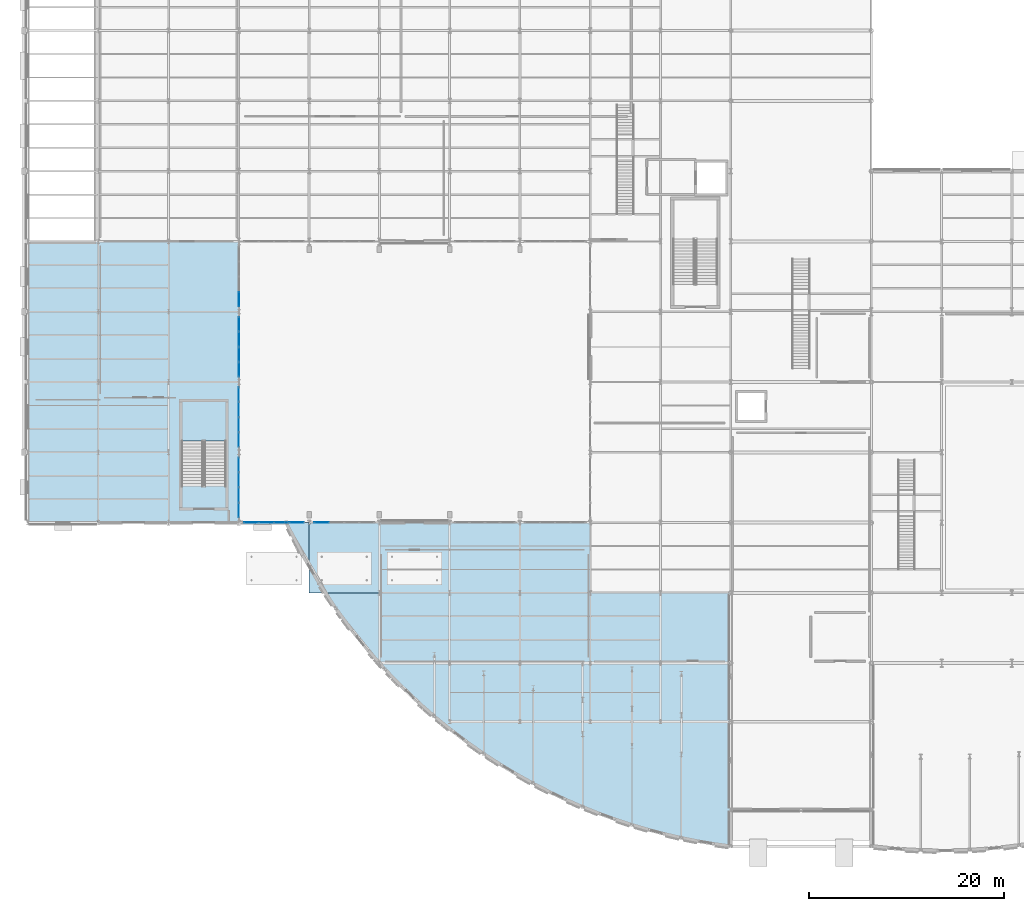
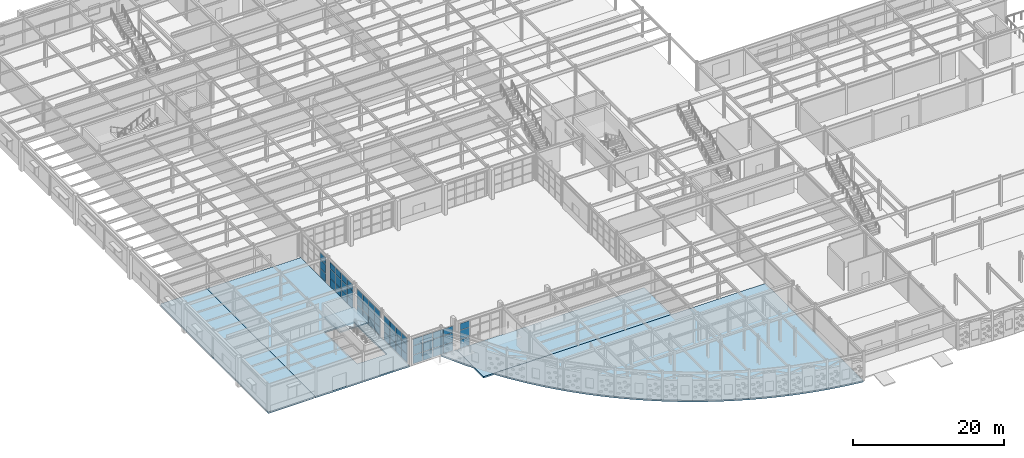
# One storey, part 49 of 83: 54 plates, 6 slabs, 7 elements without a shape of their own.
"""IFC4 building model written with IfcOpenShell, lengths in metres."""

import ifcopenshell
import ifcopenshell.guid

model = None  # the IFC model being written
_history = None  # IfcOwnerHistory: only IFC2X3 demands one
_inside = {}  # id of a spatial element -> (the spatial element, [elements in it])
_under = {}  # id of a project, library or spatial element -> (it, [spatial elements below it])
_declared = {}  # id of a project -> (the project, [libraries it declares])
_typed = {}  # id of a type object -> (the type object, [elements of that type])
_made_of = {}  # id of a material, layer set ... -> (it, [elements and type objects made of it])


def new_model(schema):
    """Start an empty IFC model of exactly this schema.

    Asked for "IFC4X3", IfcOpenShell would pick the latest addendum, in which some entities
    have other attributes; the version numbers below select the first issue.
    IFC2X3 requires an IfcOwnerHistory on every rooted entity: one is made here for all.
    """
    global model, _history
    if schema == "IFC4X3":
        model = ifcopenshell.file(schema_version=(4, 3, 0, 0))
    else:
        model = ifcopenshell.file(schema=schema)
    _inside.clear()
    _under.clear()
    _declared.clear()
    _typed.clear()
    _made_of.clear()
    _history = None
    if model.schema == "IFC2X3":
        org = make("IfcOrganization", Name="unknown")
        user = make(
            "IfcPersonAndOrganization",
            ThePerson=make("IfcPerson", FamilyName="unknown"),
            TheOrganization=org,
        )
        app = make(
            "IfcApplication",
            ApplicationDeveloper=org,
            Version="unknown",
            ApplicationFullName="unknown",
            ApplicationIdentifier="unknown",
        )
        _history = make(
            "IfcOwnerHistory",
            OwningUser=user,
            OwningApplication=app,
            ChangeAction="ADDED",
            CreationDate=0,
        )
    return model


def make(cls, **values):
    """One entity of the class cls with the attributes given. An attribute that is None is left unset."""
    return model.create_entity(
        cls, **{name: value for name, value in values.items() if value is not None}
    )


def rooted(cls, **values):
    """An entity with a GlobalId (a new one), such as an element, a storey or a relation."""
    return make(cls, GlobalId=ifcopenshell.guid.new(), OwnerHistory=_history, **values)


def si_unit(unit_type, name, prefix=None):
    """IfcSIUnit, for example si_unit("LENGTHUNIT", "METRE", prefix="MILLI")."""
    return make("IfcSIUnit", UnitType=unit_type, Prefix=prefix, Name=name)


def assignment(units):
    """IfcUnitAssignment: the units of a project."""
    return None if units is None else make("IfcUnitAssignment", Units=units)


def point(xyz):
    """IfcCartesianPoint."""
    return None if xyz is None else make("IfcCartesianPoint", Coordinates=xyz)


def direction(xyz):
    """IfcDirection."""
    return None if xyz is None else make("IfcDirection", DirectionRatios=xyz)


def frame(location, z_axis=None, x_axis=None):
    """IfcAxis2Placement3D, a coordinate frame: its origin and axes. An axis left out is left unset."""
    return make(
        "IfcAxis2Placement3D",
        Location=point(location),
        Axis=direction(z_axis),
        RefDirection=direction(x_axis),
    )


def frame_2d(location, x_axis=None):
    """IfcAxis2Placement2D, a coordinate frame in the plane: its origin and x axis."""
    return make(
        "IfcAxis2Placement2D", Location=point(location), RefDirection=direction(x_axis)
    )


def origin():
    """The frame at (0, 0, 0) with its axes left unset."""
    return frame((0.0, 0.0, 0.0))


def origin_2d():
    """The frame at (0, 0) in the plane with its x axis left unset."""
    return frame_2d((0.0, 0.0))


def place(relative_to, where):
    """IfcLocalPlacement: puts the frame where relative to a parent placement (None: the world)."""
    return make(
        "IfcLocalPlacement", PlacementRelTo=relative_to, RelativePlacement=where
    )


def context(
    kind, dimensions, precision=None, world=None, true_north=None, identifier=None
):
    """IfcGeometricRepresentationContext, for example the 3D "Model" context."""
    return make(
        "IfcGeometricRepresentationContext",
        ContextIdentifier=identifier,
        ContextType=kind,
        CoordinateSpaceDimension=dimensions,
        Precision=precision,
        WorldCoordinateSystem=world,
        TrueNorth=true_north,
    )


def subcontext(parent, identifier, kind, view, scale=None):
    """IfcGeometricRepresentationSubContext, for example "Body" below "Model"."""
    return make(
        "IfcGeometricRepresentationSubContext",
        ContextIdentifier=identifier,
        ContextType=kind,
        ParentContext=parent,
        TargetScale=scale,
        TargetView=view,
    )


def project(units=None, contexts=None):
    """IfcProject with its units and contexts."""
    return rooted(
        "IfcProject",
        Name="project",
        RepresentationContexts=contexts,
        UnitsInContext=assignment(units),
    )


def spatial(cls, under=None, at=None, **own):
    """A site, building, storey or space (cls), placed at a placement, below another one or the project."""
    s = rooted(cls, ObjectPlacement=at, **own)
    if under is not None:
        _under.setdefault(under.id(), (under, []))[1].append(s)
    return s


def polyline(points):
    """IfcPolyline through the points."""
    return make("IfcPolyline", Points=[point(p) for p in points])


def profile(cls, at=None, kind="AREA", **sizes):
    """A parametric profile (cls). Its sizes go by their IFC names, for example OverallWidth=200.0."""
    return make(cls, ProfileType=kind, Position=at, **sizes)


def rectangle(**sizes):
    """IfcRectangleProfileDef."""
    return profile("IfcRectangleProfileDef", **sizes)


def outline(outer, holes=None, kind="AREA"):
    """IfcArbitraryClosedProfileDef: a profile drawn as a closed curve; with holes, ...WithVoids."""
    if holes is None:
        return make("IfcArbitraryClosedProfileDef", ProfileType=kind, OuterCurve=outer)
    return make(
        "IfcArbitraryProfileDefWithVoids",
        ProfileType=kind,
        OuterCurve=outer,
        InnerCurves=holes,
    )


def extrude(swept, where, along, depth):
    """IfcExtrudedAreaSolid: the profile swept, set in the frame where, extruded along a direction by depth."""
    return make(
        "IfcExtrudedAreaSolid",
        SweptArea=swept,
        Position=where,
        ExtrudedDirection=direction(along),
        Depth=depth,
    )


def shape(context_of_items, identifier, shape_type, items):
    """IfcShapeRepresentation: the items that make up one representation, for example the "Body"."""
    return make(
        "IfcShapeRepresentation",
        ContextOfItems=context_of_items,
        RepresentationIdentifier=identifier,
        RepresentationType=shape_type,
        Items=items,
    )


def material(Name=None, Category=None):
    """IfcMaterial."""
    return make("IfcMaterial", Name=Name, Category=Category)


def layer(
    of_material, thickness, ventilated=None, Name=None, Category=None, Priority=None
):
    """IfcMaterialLayer: one layer of a wall or slab, of a material (None: an air gap)."""
    return make(
        "IfcMaterialLayer",
        Material=of_material,
        LayerThickness=thickness,
        IsVentilated=ventilated,
        Name=Name,
        Category=Category,
        Priority=Priority,
    )


def layer_set(layers, Name=None):
    """IfcMaterialLayerSet."""
    return make("IfcMaterialLayerSet", MaterialLayers=layers, LayerSetName=Name)


def made_of(thing, what):
    """Note that an element or type object is made of a material, layer set ...; save() writes the relation."""
    if what is not None:
        _made_of.setdefault(what.id(), (what, []))[1].append(thing)
    return thing


def type_object(cls, material=None, **own):
    """A type object (cls), such as IfcWallType, which elements share."""
    return made_of(rooted(cls, **own), material)


def element(
    cls,
    number,
    at=None,
    inside=None,
    cuts=None,
    type_object=None,
    material=None,
    context=None,
    identifier="Body",
    shape_type=None,
    held_by="IfcProductDefinitionShape",
    body=None,
    shapes=None,
    **own,
):
    """One element of the class cls, such as IfcWall. Its Tag is "e" and its number.

    at: its placement. inside: the storey or other place that contains it. cuts: it is an
    opening in that element (IfcRelVoidsElement). A single representation is given by context,
    identifier, shape_type and body (its items); several are given by shapes. held_by: the class
    of the entity that holds the representations. save() writes the other relations.
    """
    e = rooted(cls, Tag="e%d" % number, ObjectPlacement=at, **own)
    if body is not None:
        shapes = [shape(context, identifier, shape_type, body)]
    if shapes is not None:
        e.Representation = make(held_by, Representations=shapes)
    if inside is not None:
        _inside.setdefault(inside.id(), (inside, []))[1].append(e)
    if cuts is not None:
        rooted(
            "IfcRelVoidsElement", RelatingBuildingElement=cuts, RelatedOpeningElement=e
        )
    if type_object is not None:
        _typed.setdefault(type_object.id(), (type_object, []))[1].append(e)
    return made_of(e, material)


def aggregate(whole, parts):
    """IfcRelAggregates: a whole, such as a stair, and the parts it consists of."""
    return rooted("IfcRelAggregates", RelatingObject=whole, RelatedObjects=parts)


def save(model, path):
    """Write the relations noted so far, then the file.

    IfcRelAggregates (storeys below a building ...), IfcRelContainedInSpatialStructure (elements
    in a storey), IfcRelDefinesByType, IfcRelAssociatesMaterial and IfcRelDeclares: one each for
    every whole, place, type object, material and project.
    """
    for whole, parts in _under.values():
        aggregate(whole, parts)
    for where, things in _inside.values():
        rooted(
            "IfcRelContainedInSpatialStructure",
            RelatedElements=things,
            RelatingStructure=where,
        )
    for kind, things in _typed.values():
        rooted("IfcRelDefinesByType", RelatedObjects=things, RelatingType=kind)
    for what, things in _made_of.values():
        rooted("IfcRelAssociatesMaterial", RelatedObjects=things, RelatingMaterial=what)
    for by, libraries in _declared.values():
        rooted("IfcRelDeclares", RelatingContext=by, RelatedDefinitions=libraries)
    model.write(path)


model = new_model("IFC4")

# Units and contexts
model_context = context("Model", 3, precision=1e-05, world=origin(), true_north=direction((0.0, 1.0)))
body_context = subcontext(model_context, "Body", "Model", "MODEL_VIEW")
ifc_project = project(units=[si_unit("LENGTHUNIT", "METRE"), si_unit("AREAUNIT", "SQUARE_METRE"), si_unit("VOLUMEUNIT", "CUBIC_METRE"), si_unit("PLANEANGLEUNIT", "RADIAN"), si_unit("MASSUNIT", "GRAM", prefix="KILO")], contexts=[model_context])

# Site, building, storey
site_placement = place(None, origin())
site = spatial("IfcSite", under=ifc_project, at=site_placement, CompositionType="ELEMENT")
building_placement = place(site_placement, origin())
building = spatial("IfcBuilding", under=site, at=building_placement, Name="Solvadek Multi-Sports Hall", CompositionType="ELEMENT")
storey_placement = place(building_placement, origin())
storey = spatial("IfcBuildingStorey", under=building, at=storey_placement, Name="L00", CompositionType="ELEMENT", Elevation=0.0)

# Curtain wall, plates
ifc_material_1 = material(Name="Anodised aluminium", Category="aluminium")
ifc_layer_1 = layer(ifc_material_1, 0.159912109375, Name="Anodised aluminium")
ifc_layer_set_1 = layer_set([ifc_layer_1], Name="Anodised aluminium")
curtain_wall_type_1 = type_object("IfcCurtainWallType", Name="ENV-CW-624X412", PredefinedType="USERDEFINED", material=ifc_layer_set_1)
curtain_wall_1_placement = place(storey_placement, origin())
curtain_wall_1 = element("IfcCurtainWall", 1, at=curtain_wall_1_placement, inside=storey, type_object=curtain_wall_type_1, Name="L00 Perimeter Bay Curtain Wall #152", ObjectType="CURTAIN WALL", PredefinedType="USERDEFINED")
ifc_material_2 = material(Name="Tempered laminated low-E glass", Category="glass")
ifc_layer_2 = layer(ifc_material_2, 0.028076171875, Name="Tempered laminated low-E glass")
ifc_layer_set_2 = layer_set([ifc_layer_2], Name="Tempered laminated low-E glass")
plate_type_1 = type_object("IfcPlateType", Name="ENV-CWP-02", PredefinedType="CURTAIN_PANEL", material=ifc_layer_set_2)
plate_1_placement = place(storey_placement, frame((22.875, 20.39990234375, 0.06005859375), z_axis=(0.0, 0.0, 1.0), x_axis=(1.0, 0.0, 0.0)))
plate_1 = element("IfcPlate", 2, at=plate_1_placement, type_object=plate_type_1, Name="CW-38 panel 1.1", PredefinedType="CURTAIN_PANEL", context=body_context, shape_type="SweptSolid", body=[
    extrude(rectangle(XDim=1.469970703125, YDim=0.028076171875, at=origin_2d()), origin(), (0.0, 0.0, 1.0), 1.35400390625),
])
plate_2_placement = place(storey_placement, frame((22.875, 20.39990234375, 1.47412109375), z_axis=(0.0, 0.0, 1.0), x_axis=(1.0, 0.0, 0.0)))
plate_2 = element("IfcPlate", 3, at=plate_2_placement, type_object=plate_type_1, Name="CW-38 panel 1.2", PredefinedType="CURTAIN_PANEL", context=body_context, shape_type="SweptSolid", body=[
    extrude(rectangle(XDim=1.469970703125, YDim=0.028076171875, at=origin_2d()), origin(), (0.0, 0.0, 1.0), 1.466064453125),
])
plate_3_placement = place(storey_placement, frame((22.875, 20.39990234375, 3.0), z_axis=(0.0, 0.0, 1.0), x_axis=(1.0, 0.0, 0.0)))
plate_3 = element("IfcPlate", 4, at=plate_3_placement, type_object=plate_type_1, Name="CW-38 panel 1.3", PredefinedType="CURTAIN_PANEL", context=body_context, shape_type="SweptSolid", body=[
    extrude(rectangle(XDim=1.469970703125, YDim=0.028076171875, at=origin_2d()), origin(), (0.0, 0.0, 1.0), 1.06494140625),
])
plate_4_placement = place(storey_placement, frame((24.419921875, 20.39990234375, 0.06005859375), z_axis=(0.0, 0.0, 1.0), x_axis=(1.0, 0.0, 0.0)))
plate_4 = element("IfcPlate", 5, at=plate_4_placement, type_object=plate_type_1, Name="CW-38 panel 2.1", PredefinedType="CURTAIN_PANEL", context=body_context, shape_type="SweptSolid", body=[
    extrude(rectangle(XDim=1.5, YDim=0.028076171875, at=origin_2d()), origin(), (0.0, 0.0, 1.0), 1.35400390625),
])
plate_5_placement = place(storey_placement, frame((24.419921875, 20.39990234375, 1.47412109375), z_axis=(0.0, 0.0, 1.0), x_axis=(1.0, 0.0, 0.0)))
plate_5 = element("IfcPlate", 6, at=plate_5_placement, type_object=plate_type_1, Name="CW-38 panel 2.2", PredefinedType="CURTAIN_PANEL", context=body_context, shape_type="SweptSolid", body=[
    extrude(rectangle(XDim=1.5, YDim=0.028076171875, at=origin_2d()), origin(), (0.0, 0.0, 1.0), 1.466064453125),
])
plate_6_placement = place(storey_placement, frame((24.419921875, 20.39990234375, 3.0), z_axis=(0.0, 0.0, 1.0), x_axis=(1.0, 0.0, 0.0)))
plate_6 = element("IfcPlate", 7, at=plate_6_placement, type_object=plate_type_1, Name="CW-38 panel 2.3", PredefinedType="CURTAIN_PANEL", context=body_context, shape_type="SweptSolid", body=[
    extrude(rectangle(XDim=1.5, YDim=0.028076171875, at=origin_2d()), origin(), (0.0, 0.0, 1.0), 1.06494140625),
])
plate_7_placement = place(storey_placement, frame((25.97998046875, 20.39990234375, 0.06005859375), z_axis=(0.0, 0.0, 1.0), x_axis=(1.0, 0.0, 0.0)))
plate_7 = element("IfcPlate", 8, at=plate_7_placement, type_object=plate_type_1, Name="CW-38 panel 3.1", PredefinedType="CURTAIN_PANEL", context=body_context, shape_type="SweptSolid", body=[
    extrude(rectangle(XDim=1.5, YDim=0.028076171875, at=origin_2d()), origin(), (0.0, 0.0, 1.0), 1.35400390625),
])
plate_8_placement = place(storey_placement, frame((25.97998046875, 20.39990234375, 1.47412109375), z_axis=(0.0, 0.0, 1.0), x_axis=(1.0, 0.0, 0.0)))
plate_8 = element("IfcPlate", 9, at=plate_8_placement, type_object=plate_type_1, Name="CW-38 panel 3.2", PredefinedType="CURTAIN_PANEL", context=body_context, shape_type="SweptSolid", body=[
    extrude(rectangle(XDim=1.5, YDim=0.028076171875, at=origin_2d()), origin(), (0.0, 0.0, 1.0), 1.466064453125),
])
plate_9_placement = place(storey_placement, frame((25.97998046875, 20.39990234375, 3.0), z_axis=(0.0, 0.0, 1.0), x_axis=(1.0, 0.0, 0.0)))
plate_9 = element("IfcPlate", 10, at=plate_9_placement, type_object=plate_type_1, Name="CW-38 panel 3.3", PredefinedType="CURTAIN_PANEL", context=body_context, shape_type="SweptSolid", body=[
    extrude(rectangle(XDim=1.5, YDim=0.028076171875, at=origin_2d()), origin(), (0.0, 0.0, 1.0), 1.06494140625),
])
plate_10_placement = place(storey_placement, frame((27.52490234375, 20.39990234375, 0.06005859375), z_axis=(0.0, 0.0, 1.0), x_axis=(1.0, 0.0, 0.0)))
plate_10 = element("IfcPlate", 11, at=plate_10_placement, type_object=plate_type_1, Name="CW-38 panel 4.1", PredefinedType="CURTAIN_PANEL", context=body_context, shape_type="SweptSolid", body=[
    extrude(rectangle(XDim=1.469970703125, YDim=0.028076171875, at=origin_2d()), origin(), (0.0, 0.0, 1.0), 1.35400390625),
])
plate_11_placement = place(storey_placement, frame((27.52490234375, 20.39990234375, 1.47412109375), z_axis=(0.0, 0.0, 1.0), x_axis=(1.0, 0.0, 0.0)))
plate_11 = element("IfcPlate", 12, at=plate_11_placement, type_object=plate_type_1, Name="CW-38 panel 4.2", PredefinedType="CURTAIN_PANEL", context=body_context, shape_type="SweptSolid", body=[
    extrude(rectangle(XDim=1.469970703125, YDim=0.028076171875, at=origin_2d()), origin(), (0.0, 0.0, 1.0), 1.466064453125),
])
plate_12_placement = place(storey_placement, frame((27.52490234375, 20.39990234375, 3.0), z_axis=(0.0, 0.0, 1.0), x_axis=(1.0, 0.0, 0.0)))
plate_12 = element("IfcPlate", 13, at=plate_12_placement, type_object=plate_type_1, Name="CW-38 panel 4.3", PredefinedType="CURTAIN_PANEL", context=body_context, shape_type="SweptSolid", body=[
    extrude(rectangle(XDim=1.469970703125, YDim=0.028076171875, at=origin_2d()), origin(), (0.0, 0.0, 1.0), 1.06494140625),
])
aggregate(curtain_wall_1, [plate_1, plate_2, plate_3, plate_4, plate_5, plate_6, plate_7, plate_8, plate_9, plate_10, plate_11, plate_12])

ifc_layer_3 = layer(ifc_material_1, 0.159912109375, Name="Anodised aluminium")
ifc_layer_set_3 = layer_set([ifc_layer_3], Name="Anodised aluminium")
curtain_wall_type_2 = type_object("IfcCurtainWallType", Name="ENV-CW-624X410", PredefinedType="USERDEFINED", material=ifc_layer_set_3)
curtain_wall_2_placement = place(storey_placement, origin())
curtain_wall_2 = element("IfcCurtainWall", 14, at=curtain_wall_2_placement, inside=storey, type_object=curtain_wall_type_2, Name="L00 Perimeter Bay Curtain Wall #158", ObjectType="CURTAIN WALL", PredefinedType="USERDEFINED")
ifc_layer_4 = layer(ifc_material_2, 0.031982421875, Name="Tempered laminated low-E glass")
ifc_layer_set_4 = layer_set([ifc_layer_4], Name="Tempered laminated low-E glass")
plate_type_2 = type_object("IfcPlateType", Name="ENV-CWP-03", PredefinedType="CURTAIN_PANEL", material=ifc_layer_set_4)
plate_13_placement = place(storey_placement, frame((30.076171875, 20.39990234375, 0.06494140625), z_axis=(0.0, 0.0, 1.0), x_axis=(1.0, 0.0, 0.0)))
plate_13 = element("IfcPlate", 15, at=plate_13_placement, type_object=plate_type_2, Name="CW-39 panel 1.1", PredefinedType="CURTAIN_PANEL", context=body_context, shape_type="SweptSolid", body=[
    extrude(rectangle(XDim=1.46240234375, YDim=0.031982421875, at=origin_2d()), origin(), (0.0, 0.0, 1.0), 1.33740234375),
])
plate_14_placement = place(storey_placement, frame((30.076171875, 20.39990234375, 1.4677734375), z_axis=(0.0, 0.0, 1.0), x_axis=(1.0, 0.0, 0.0)))
plate_14 = element("IfcPlate", 16, at=plate_14_placement, type_object=plate_type_2, Name="CW-39 panel 1.2", PredefinedType="CURTAIN_PANEL", context=body_context, shape_type="SweptSolid", body=[
    extrude(rectangle(XDim=1.46240234375, YDim=0.031982421875, at=origin_2d()), origin(), (0.0, 0.0, 1.0), 1.451904296875),
])
plate_15_placement = place(storey_placement, frame((30.076171875, 20.39990234375, 2.984375), z_axis=(0.0, 0.0, 1.0), x_axis=(1.0, 0.0, 0.0)))
plate_15 = element("IfcPlate", 17, at=plate_15_placement, type_object=plate_type_2, Name="CW-39 panel 1.3", PredefinedType="CURTAIN_PANEL", context=body_context, shape_type="SweptSolid", body=[
    extrude(rectangle(XDim=1.46240234375, YDim=0.031982421875, at=origin_2d()), origin(), (0.0, 0.0, 1.0), 1.050537109375),
])
aggregate(curtain_wall_2, [plate_13, plate_14, plate_15])

curtain_wall_3_placement = place(storey_placement, origin())
curtain_wall_3 = element("IfcCurtainWall", 18, at=curtain_wall_3_placement, inside=storey, type_object=curtain_wall_type_2, Name="L00 Perimeter Bay Curtain Wall #180", ObjectType="CURTAIN WALL", PredefinedType="USERDEFINED")
plate_16_placement = place(storey_placement, frame((21.60009765625, 21.67626953125, 0.06494140625), z_axis=(0.0, 0.0, 1.0), x_axis=(0.0, 1.0, 0.0)))
plate_16 = element("IfcPlate", 19, at=plate_16_placement, type_object=plate_type_2, Name="CW-39 panel 1.1", PredefinedType="CURTAIN_PANEL", context=body_context, shape_type="SweptSolid", body=[
    extrude(rectangle(XDim=1.46240234375, YDim=0.031982421875, at=origin_2d()), origin(), (0.0, 0.0, 1.0), 1.33740234375),
])
plate_17_placement = place(storey_placement, frame((21.60009765625, 21.67626953125, 1.4677734375), z_axis=(0.0, 0.0, 1.0), x_axis=(0.0, 1.0, 0.0)))
plate_17 = element("IfcPlate", 20, at=plate_17_placement, type_object=plate_type_2, Name="CW-39 panel 1.2", PredefinedType="CURTAIN_PANEL", context=body_context, shape_type="SweptSolid", body=[
    extrude(rectangle(XDim=1.46240234375, YDim=0.031982421875, at=origin_2d()), origin(), (0.0, 0.0, 1.0), 1.451904296875),
])
plate_18_placement = place(storey_placement, frame((21.60009765625, 21.67626953125, 2.984375), z_axis=(0.0, 0.0, 1.0), x_axis=(0.0, 1.0, 0.0)))
plate_18 = element("IfcPlate", 21, at=plate_18_placement, type_object=plate_type_2, Name="CW-39 panel 1.3", PredefinedType="CURTAIN_PANEL", context=body_context, shape_type="SweptSolid", body=[
    extrude(rectangle(XDim=1.46240234375, YDim=0.031982421875, at=origin_2d()), origin(), (0.0, 0.0, 1.0), 1.050537109375),
])
plate_19_placement = place(storey_placement, frame((21.60009765625, 23.219970703125, 0.06494140625), z_axis=(0.0, 0.0, 1.0), x_axis=(0.0, 1.0, 0.0)))
plate_19 = element("IfcPlate", 22, at=plate_19_placement, type_object=plate_type_2, Name="CW-39 panel 2.1", PredefinedType="CURTAIN_PANEL", context=body_context, shape_type="SweptSolid", body=[
    extrude(rectangle(XDim=1.4951171875, YDim=0.031982421875, at=origin_2d()), origin(), (0.0, 0.0, 1.0), 1.33740234375),
])
plate_20_placement = place(storey_placement, frame((21.60009765625, 23.219970703125, 1.4677734375), z_axis=(0.0, 0.0, 1.0), x_axis=(0.0, 1.0, 0.0)))
plate_20 = element("IfcPlate", 23, at=plate_20_placement, type_object=plate_type_2, Name="CW-39 panel 2.2", PredefinedType="CURTAIN_PANEL", context=body_context, shape_type="SweptSolid", body=[
    extrude(rectangle(XDim=1.4951171875, YDim=0.031982421875, at=origin_2d()), origin(), (0.0, 0.0, 1.0), 1.451904296875),
])
plate_21_placement = place(storey_placement, frame((21.60009765625, 23.219970703125, 2.984375), z_axis=(0.0, 0.0, 1.0), x_axis=(0.0, 1.0, 0.0)))
plate_21 = element("IfcPlate", 24, at=plate_21_placement, type_object=plate_type_2, Name="CW-39 panel 2.3", PredefinedType="CURTAIN_PANEL", context=body_context, shape_type="SweptSolid", body=[
    extrude(rectangle(XDim=1.4951171875, YDim=0.031982421875, at=origin_2d()), origin(), (0.0, 0.0, 1.0), 1.050537109375),
])
plate_22_placement = place(storey_placement, frame((21.60009765625, 24.780029296875, 0.06494140625), z_axis=(0.0, 0.0, 1.0), x_axis=(0.0, 1.0, 0.0)))
plate_22 = element("IfcPlate", 25, at=plate_22_placement, type_object=plate_type_2, Name="CW-39 panel 3.1", PredefinedType="CURTAIN_PANEL", context=body_context, shape_type="SweptSolid", body=[
    extrude(rectangle(XDim=1.4951171875, YDim=0.031982421875, at=origin_2d()), origin(), (0.0, 0.0, 1.0), 1.33740234375),
])
plate_23_placement = place(storey_placement, frame((21.60009765625, 24.780029296875, 1.4677734375), z_axis=(0.0, 0.0, 1.0), x_axis=(0.0, 1.0, 0.0)))
plate_23 = element("IfcPlate", 26, at=plate_23_placement, type_object=plate_type_2, Name="CW-39 panel 3.2", PredefinedType="CURTAIN_PANEL", context=body_context, shape_type="SweptSolid", body=[
    extrude(rectangle(XDim=1.4951171875, YDim=0.031982421875, at=origin_2d()), origin(), (0.0, 0.0, 1.0), 1.451904296875),
])
plate_24_placement = place(storey_placement, frame((21.60009765625, 24.780029296875, 2.984375), z_axis=(0.0, 0.0, 1.0), x_axis=(0.0, 1.0, 0.0)))
plate_24 = element("IfcPlate", 27, at=plate_24_placement, type_object=plate_type_2, Name="CW-39 panel 3.3", PredefinedType="CURTAIN_PANEL", context=body_context, shape_type="SweptSolid", body=[
    extrude(rectangle(XDim=1.4951171875, YDim=0.031982421875, at=origin_2d()), origin(), (0.0, 0.0, 1.0), 1.050537109375),
])
plate_25_placement = place(storey_placement, frame((21.60009765625, 26.32373046875, 0.06494140625), z_axis=(0.0, 0.0, 1.0), x_axis=(0.0, 1.0, 0.0)))
plate_25 = element("IfcPlate", 28, at=plate_25_placement, type_object=plate_type_2, Name="CW-39 panel 4.1", PredefinedType="CURTAIN_PANEL", context=body_context, shape_type="SweptSolid", body=[
    extrude(rectangle(XDim=1.46240234375, YDim=0.031982421875, at=origin_2d()), origin(), (0.0, 0.0, 1.0), 1.33740234375),
])
plate_26_placement = place(storey_placement, frame((21.60009765625, 26.32373046875, 1.4677734375), z_axis=(0.0, 0.0, 1.0), x_axis=(0.0, 1.0, 0.0)))
plate_26 = element("IfcPlate", 29, at=plate_26_placement, type_object=plate_type_2, Name="CW-39 panel 4.2", PredefinedType="CURTAIN_PANEL", context=body_context, shape_type="SweptSolid", body=[
    extrude(rectangle(XDim=1.46240234375, YDim=0.031982421875, at=origin_2d()), origin(), (0.0, 0.0, 1.0), 1.451904296875),
])
plate_27_placement = place(storey_placement, frame((21.60009765625, 26.32373046875, 2.984375), z_axis=(0.0, 0.0, 1.0), x_axis=(0.0, 1.0, 0.0)))
plate_27 = element("IfcPlate", 30, at=plate_27_placement, type_object=plate_type_2, Name="CW-39 panel 4.3", PredefinedType="CURTAIN_PANEL", context=body_context, shape_type="SweptSolid", body=[
    extrude(rectangle(XDim=1.46240234375, YDim=0.031982421875, at=origin_2d()), origin(), (0.0, 0.0, 1.0), 1.050537109375),
])
aggregate(curtain_wall_3, [plate_16, plate_17, plate_18, plate_19, plate_20, plate_21, plate_22, plate_23, plate_24, plate_25, plate_26, plate_27])

ifc_layer_5 = layer(ifc_material_1, 0.159912109375, Name="Anodised aluminium")
ifc_layer_set_5 = layer_set([ifc_layer_5], Name="Anodised aluminium")
curtain_wall_type_3 = type_object("IfcCurtainWallType", Name="ENV-CW-624X408", PredefinedType="USERDEFINED", material=ifc_layer_set_5)
curtain_wall_4_placement = place(storey_placement, origin())
curtain_wall_4 = element("IfcCurtainWall", 31, at=curtain_wall_4_placement, inside=storey, type_object=curtain_wall_type_3, Name="L00 Perimeter Bay Curtain Wall #186", ObjectType="CURTAIN WALL", PredefinedType="USERDEFINED")
ifc_layer_6 = layer(ifc_material_2, 0.035888671875, Name="Tempered laminated low-E glass")
ifc_layer_set_6 = layer_set([ifc_layer_6], Name="Tempered laminated low-E glass")
plate_type_3 = type_object("IfcPlateType", Name="ENV-CWP-04", PredefinedType="CURTAIN_PANEL", material=ifc_layer_set_6)
plate_28_placement = place(storey_placement, frame((21.60009765625, 28.876220703125, 0.06494140625), z_axis=(0.0, 0.0, 1.0), x_axis=(0.0, 1.0, 0.0)))
plate_28 = element("IfcPlate", 32, at=plate_28_placement, type_object=plate_type_3, Name="CW-40 panel 1.1", PredefinedType="CURTAIN_PANEL", context=body_context, shape_type="SweptSolid", body=[
    extrude(rectangle(XDim=1.46240234375, YDim=0.035888671875, at=origin_2d()), origin(), (0.0, 0.0, 1.0), 1.32861328125),
])
plate_29_placement = place(storey_placement, frame((21.60009765625, 28.876220703125, 1.45849609375), z_axis=(0.0, 0.0, 1.0), x_axis=(0.0, 1.0, 0.0)))
plate_29 = element("IfcPlate", 33, at=plate_29_placement, type_object=plate_type_3, Name="CW-40 panel 1.2", PredefinedType="CURTAIN_PANEL", context=body_context, shape_type="SweptSolid", body=[
    extrude(rectangle(XDim=1.46240234375, YDim=0.035888671875, at=origin_2d()), origin(), (0.0, 0.0, 1.0), 1.443115234375),
])
plate_30_placement = place(storey_placement, frame((21.60009765625, 28.876220703125, 2.966552734375), z_axis=(0.0, 0.0, 1.0), x_axis=(0.0, 1.0, 0.0)))
plate_30 = element("IfcPlate", 34, at=plate_30_placement, type_object=plate_type_3, Name="CW-40 panel 1.3", PredefinedType="CURTAIN_PANEL", context=body_context, shape_type="SweptSolid", body=[
    extrude(rectangle(XDim=1.46240234375, YDim=0.035888671875, at=origin_2d()), origin(), (0.0, 0.0, 1.0), 1.04345703125),
])
plate_31_placement = place(storey_placement, frame((21.60009765625, 30.419921875, 0.06494140625), z_axis=(0.0, 0.0, 1.0), x_axis=(0.0, 1.0, 0.0)))
plate_31 = element("IfcPlate", 35, at=plate_31_placement, type_object=plate_type_3, Name="CW-40 panel 2.1", PredefinedType="CURTAIN_PANEL", context=body_context, shape_type="SweptSolid", body=[
    extrude(rectangle(XDim=1.4951171875, YDim=0.035888671875, at=origin_2d()), origin(), (0.0, 0.0, 1.0), 1.32861328125),
])
plate_32_placement = place(storey_placement, frame((21.60009765625, 30.419921875, 1.45849609375), z_axis=(0.0, 0.0, 1.0), x_axis=(0.0, 1.0, 0.0)))
plate_32 = element("IfcPlate", 36, at=plate_32_placement, type_object=plate_type_3, Name="CW-40 panel 2.2", PredefinedType="CURTAIN_PANEL", context=body_context, shape_type="SweptSolid", body=[
    extrude(rectangle(XDim=1.4951171875, YDim=0.035888671875, at=origin_2d()), origin(), (0.0, 0.0, 1.0), 1.443115234375),
])
plate_33_placement = place(storey_placement, frame((21.60009765625, 30.419921875, 2.966552734375), z_axis=(0.0, 0.0, 1.0), x_axis=(0.0, 1.0, 0.0)))
plate_33 = element("IfcPlate", 37, at=plate_33_placement, type_object=plate_type_3, Name="CW-40 panel 2.3", PredefinedType="CURTAIN_PANEL", context=body_context, shape_type="SweptSolid", body=[
    extrude(rectangle(XDim=1.4951171875, YDim=0.035888671875, at=origin_2d()), origin(), (0.0, 0.0, 1.0), 1.04345703125),
])
plate_34_placement = place(storey_placement, frame((21.60009765625, 31.97998046875, 0.06494140625), z_axis=(0.0, 0.0, 1.0), x_axis=(0.0, 1.0, 0.0)))
plate_34 = element("IfcPlate", 38, at=plate_34_placement, type_object=plate_type_3, Name="CW-40 panel 3.1", PredefinedType="CURTAIN_PANEL", context=body_context, shape_type="SweptSolid", body=[
    extrude(rectangle(XDim=1.4951171875, YDim=0.035888671875, at=origin_2d()), origin(), (0.0, 0.0, 1.0), 1.32861328125),
])
plate_35_placement = place(storey_placement, frame((21.60009765625, 31.97998046875, 1.45849609375), z_axis=(0.0, 0.0, 1.0), x_axis=(0.0, 1.0, 0.0)))
plate_35 = element("IfcPlate", 39, at=plate_35_placement, type_object=plate_type_3, Name="CW-40 panel 3.2", PredefinedType="CURTAIN_PANEL", context=body_context, shape_type="SweptSolid", body=[
    extrude(rectangle(XDim=1.4951171875, YDim=0.035888671875, at=origin_2d()), origin(), (0.0, 0.0, 1.0), 1.443115234375),
])
plate_36_placement = place(storey_placement, frame((21.60009765625, 31.97998046875, 2.966552734375), z_axis=(0.0, 0.0, 1.0), x_axis=(0.0, 1.0, 0.0)))
plate_36 = element("IfcPlate", 40, at=plate_36_placement, type_object=plate_type_3, Name="CW-40 panel 3.3", PredefinedType="CURTAIN_PANEL", context=body_context, shape_type="SweptSolid", body=[
    extrude(rectangle(XDim=1.4951171875, YDim=0.035888671875, at=origin_2d()), origin(), (0.0, 0.0, 1.0), 1.04345703125),
])
plate_37_placement = place(storey_placement, frame((21.60009765625, 33.523681640625, 0.06494140625), z_axis=(0.0, 0.0, 1.0), x_axis=(0.0, 1.0, 0.0)))
plate_37 = element("IfcPlate", 41, at=plate_37_placement, type_object=plate_type_3, Name="CW-40 panel 4.1", PredefinedType="CURTAIN_PANEL", context=body_context, shape_type="SweptSolid", body=[
    extrude(rectangle(XDim=1.46240234375, YDim=0.035888671875, at=origin_2d()), origin(), (0.0, 0.0, 1.0), 1.32861328125),
])
plate_38_placement = place(storey_placement, frame((21.60009765625, 33.523681640625, 1.45849609375), z_axis=(0.0, 0.0, 1.0), x_axis=(0.0, 1.0, 0.0)))
plate_38 = element("IfcPlate", 42, at=plate_38_placement, type_object=plate_type_3, Name="CW-40 panel 4.2", PredefinedType="CURTAIN_PANEL", context=body_context, shape_type="SweptSolid", body=[
    extrude(rectangle(XDim=1.46240234375, YDim=0.035888671875, at=origin_2d()), origin(), (0.0, 0.0, 1.0), 1.443115234375),
])
plate_39_placement = place(storey_placement, frame((21.60009765625, 33.523681640625, 2.966552734375), z_axis=(0.0, 0.0, 1.0), x_axis=(0.0, 1.0, 0.0)))
plate_39 = element("IfcPlate", 43, at=plate_39_placement, type_object=plate_type_3, Name="CW-40 panel 4.3", PredefinedType="CURTAIN_PANEL", context=body_context, shape_type="SweptSolid", body=[
    extrude(rectangle(XDim=1.46240234375, YDim=0.035888671875, at=origin_2d()), origin(), (0.0, 0.0, 1.0), 1.04345703125),
])
aggregate(curtain_wall_4, [plate_28, plate_29, plate_30, plate_31, plate_32, plate_33, plate_34, plate_35, plate_36, plate_37, plate_38, plate_39])

ifc_layer_7 = layer(ifc_material_1, 0.159912109375, Name="Anodised aluminium")
ifc_layer_set_7 = layer_set([ifc_layer_7], Name="Anodised aluminium")
curtain_wall_type_4 = type_object("IfcCurtainWallType", Name="ENV-CW-624X405", PredefinedType="USERDEFINED", material=ifc_layer_set_7)
curtain_wall_5_placement = place(storey_placement, origin())
curtain_wall_5 = element("IfcCurtainWall", 44, at=curtain_wall_5_placement, inside=storey, type_object=curtain_wall_type_4, Name="L00 Perimeter Bay Curtain Wall #192", ObjectType="CURTAIN WALL", PredefinedType="USERDEFINED")
ifc_layer_8 = layer(ifc_material_2, 0.0419921875, Name="Tempered laminated low-E glass")
ifc_layer_set_8 = layer_set([ifc_layer_8], Name="Tempered laminated low-E glass")
plate_type_4 = type_object("IfcPlateType", Name="ENV-CWP-05", PredefinedType="CURTAIN_PANEL", material=ifc_layer_set_8)
plate_40_placement = place(storey_placement, frame((21.60009765625, 36.077392578125, 0.06005859375), z_axis=(0.0, 0.0, 1.0), x_axis=(0.0, 1.0, 0.0)))
plate_40 = element("IfcPlate", 45, at=plate_40_placement, type_object=plate_type_4, Name="CW-52 panel 1.1", PredefinedType="CURTAIN_PANEL", context=body_context, shape_type="SweptSolid", body=[
    extrude(rectangle(XDim=1.455078125, YDim=0.0419921875, at=origin_2d()), origin(), (0.0, 0.0, 1.0), 1.326904296875),
])
plate_41_placement = place(storey_placement, frame((21.60009765625, 36.077392578125, 1.447021484375), z_axis=(0.0, 0.0, 1.0), x_axis=(0.0, 1.0, 0.0)))
plate_41 = element("IfcPlate", 46, at=plate_41_placement, type_object=plate_type_4, Name="CW-52 panel 1.2", PredefinedType="CURTAIN_PANEL", context=body_context, shape_type="SweptSolid", body=[
    extrude(rectangle(XDim=1.455078125, YDim=0.0419921875, at=origin_2d()), origin(), (0.0, 0.0, 1.0), 1.43896484375),
])
plate_42_placement = place(storey_placement, frame((21.60009765625, 36.077392578125, 2.946044921875), z_axis=(0.0, 0.0, 1.0), x_axis=(0.0, 1.0, 0.0)))
plate_42 = element("IfcPlate", 47, at=plate_42_placement, type_object=plate_type_4, Name="CW-52 panel 1.3", PredefinedType="CURTAIN_PANEL", context=body_context, shape_type="SweptSolid", body=[
    extrude(rectangle(XDim=1.455078125, YDim=0.0419921875, at=origin_2d()), origin(), (0.0, 0.0, 1.0), 1.0439453125),
])
plate_43_placement = place(storey_placement, frame((21.60009765625, 37.6201171875, 0.06005859375), z_axis=(0.0, 0.0, 1.0), x_axis=(0.0, 1.0, 0.0)))
plate_43 = element("IfcPlate", 48, at=plate_43_placement, type_object=plate_type_4, Name="CW-52 panel 2.1", PredefinedType="CURTAIN_PANEL", context=body_context, shape_type="SweptSolid", body=[
    extrude(rectangle(XDim=1.489990234375, YDim=0.0419921875, at=origin_2d()), origin(), (0.0, 0.0, 1.0), 1.326904296875),
])
plate_44_placement = place(storey_placement, frame((21.60009765625, 37.6201171875, 1.447021484375), z_axis=(0.0, 0.0, 1.0), x_axis=(0.0, 1.0, 0.0)))
plate_44 = element("IfcPlate", 49, at=plate_44_placement, type_object=plate_type_4, Name="CW-52 panel 2.2", PredefinedType="CURTAIN_PANEL", context=body_context, shape_type="SweptSolid", body=[
    extrude(rectangle(XDim=1.489990234375, YDim=0.0419921875, at=origin_2d()), origin(), (0.0, 0.0, 1.0), 1.43896484375),
])
plate_45_placement = place(storey_placement, frame((21.60009765625, 37.6201171875, 2.946044921875), z_axis=(0.0, 0.0, 1.0), x_axis=(0.0, 1.0, 0.0)))
plate_45 = element("IfcPlate", 50, at=plate_45_placement, type_object=plate_type_4, Name="CW-52 panel 2.3", PredefinedType="CURTAIN_PANEL", context=body_context, shape_type="SweptSolid", body=[
    extrude(rectangle(XDim=1.489990234375, YDim=0.0419921875, at=origin_2d()), origin(), (0.0, 0.0, 1.0), 1.0439453125),
])
plate_46_placement = place(storey_placement, frame((21.60009765625, 39.179931640625, 0.06005859375), z_axis=(0.0, 0.0, 1.0), x_axis=(0.0, 1.0, 0.0)))
plate_46 = element("IfcPlate", 51, at=plate_46_placement, type_object=plate_type_4, Name="CW-52 panel 3.1", PredefinedType="CURTAIN_PANEL", context=body_context, shape_type="SweptSolid", body=[
    extrude(rectangle(XDim=1.489990234375, YDim=0.0419921875, at=origin_2d()), origin(), (0.0, 0.0, 1.0), 1.326904296875),
])
plate_47_placement = place(storey_placement, frame((21.60009765625, 39.179931640625, 1.447021484375), z_axis=(0.0, 0.0, 1.0), x_axis=(0.0, 1.0, 0.0)))
plate_47 = element("IfcPlate", 52, at=plate_47_placement, type_object=plate_type_4, Name="CW-52 panel 3.2", PredefinedType="CURTAIN_PANEL", context=body_context, shape_type="SweptSolid", body=[
    extrude(rectangle(XDim=1.489990234375, YDim=0.0419921875, at=origin_2d()), origin(), (0.0, 0.0, 1.0), 1.43896484375),
])
plate_48_placement = place(storey_placement, frame((21.60009765625, 39.179931640625, 2.946044921875), z_axis=(0.0, 0.0, 1.0), x_axis=(0.0, 1.0, 0.0)))
plate_48 = element("IfcPlate", 53, at=plate_48_placement, type_object=plate_type_4, Name="CW-52 panel 3.3", PredefinedType="CURTAIN_PANEL", context=body_context, shape_type="SweptSolid", body=[
    extrude(rectangle(XDim=1.489990234375, YDim=0.0419921875, at=origin_2d()), origin(), (0.0, 0.0, 1.0), 1.0439453125),
])
plate_49_placement = place(storey_placement, frame((21.60009765625, 40.722412109375, 0.06005859375), z_axis=(0.0, 0.0, 1.0), x_axis=(0.0, 1.0, 0.0)))
plate_49 = element("IfcPlate", 54, at=plate_49_placement, type_object=plate_type_4, Name="CW-52 panel 4.1", PredefinedType="CURTAIN_PANEL", context=body_context, shape_type="SweptSolid", body=[
    extrude(rectangle(XDim=1.455078125, YDim=0.0419921875, at=origin_2d()), origin(), (0.0, 0.0, 1.0), 1.326904296875),
])
plate_50_placement = place(storey_placement, frame((21.60009765625, 40.722412109375, 1.447021484375), z_axis=(0.0, 0.0, 1.0), x_axis=(0.0, 1.0, 0.0)))
plate_50 = element("IfcPlate", 55, at=plate_50_placement, type_object=plate_type_4, Name="CW-52 panel 4.2", PredefinedType="CURTAIN_PANEL", context=body_context, shape_type="SweptSolid", body=[
    extrude(rectangle(XDim=1.455078125, YDim=0.0419921875, at=origin_2d()), origin(), (0.0, 0.0, 1.0), 1.43896484375),
])
plate_51_placement = place(storey_placement, frame((21.60009765625, 40.722412109375, 2.946044921875), z_axis=(0.0, 0.0, 1.0), x_axis=(0.0, 1.0, 0.0)))
plate_51 = element("IfcPlate", 56, at=plate_51_placement, type_object=plate_type_4, Name="CW-52 panel 4.3", PredefinedType="CURTAIN_PANEL", context=body_context, shape_type="SweptSolid", body=[
    extrude(rectangle(XDim=1.455078125, YDim=0.0419921875, at=origin_2d()), origin(), (0.0, 0.0, 1.0), 1.0439453125),
])
aggregate(curtain_wall_5, [plate_40, plate_41, plate_42, plate_43, plate_44, plate_45, plate_46, plate_47, plate_48, plate_49, plate_50, plate_51])

ifc_layer_9 = layer(ifc_material_1, 0.159912109375, Name="Anodised aluminium")
ifc_layer_set_9 = layer_set([ifc_layer_9], Name="Anodised aluminium")
curtain_wall_type_5 = type_object("IfcCurtainWallType", Name="ENV-CW-624X403", PredefinedType="USERDEFINED", material=ifc_layer_set_9)
curtain_wall_6_placement = place(storey_placement, origin())
curtain_wall_6 = element("IfcCurtainWall", 57, at=curtain_wall_6_placement, inside=storey, type_object=curtain_wall_type_5, Name="L00 Perimeter Bay Curtain Wall #197", ObjectType="CURTAIN WALL", PredefinedType="USERDEFINED")
ifc_layer_10 = layer(ifc_material_2, 0.048095703125, Name="Tempered laminated low-E glass")
ifc_layer_set_10 = layer_set([ifc_layer_10], Name="Tempered laminated low-E glass")
plate_type_5 = type_object("IfcPlateType", Name="ENV-CWP-06", PredefinedType="CURTAIN_PANEL", material=ifc_layer_set_10)
plate_52_placement = place(storey_placement, frame((21.60009765625, 43.27490234375, 0.06005859375), z_axis=(0.0, 0.0, 1.0), x_axis=(0.0, 1.0, 0.0)))
plate_52 = element("IfcPlate", 58, at=plate_52_placement, type_object=plate_type_5, Name="CW-43 panel 1.1", PredefinedType="CURTAIN_PANEL", context=body_context, shape_type="SweptSolid", body=[
    extrude(rectangle(XDim=1.469970703125, YDim=0.048095703125, at=origin_2d()), origin(), (0.0, 0.0, 1.0), 1.319091796875),
])
plate_53_placement = place(storey_placement, frame((21.60009765625, 43.27490234375, 1.43896484375), z_axis=(0.0, 0.0, 1.0), x_axis=(0.0, 1.0, 0.0)))
plate_53 = element("IfcPlate", 59, at=plate_53_placement, type_object=plate_type_5, Name="CW-43 panel 1.2", PredefinedType="CURTAIN_PANEL", context=body_context, shape_type="SweptSolid", body=[
    extrude(rectangle(XDim=1.469970703125, YDim=0.048095703125, at=origin_2d()), origin(), (0.0, 0.0, 1.0), 1.428955078125),
])
plate_54_placement = place(storey_placement, frame((21.60009765625, 43.27490234375, 2.927978515625), z_axis=(0.0, 0.0, 1.0), x_axis=(0.0, 1.0, 0.0)))
plate_54 = element("IfcPlate", 60, at=plate_54_placement, type_object=plate_type_5, Name="CW-43 panel 1.3", PredefinedType="CURTAIN_PANEL", context=body_context, shape_type="SweptSolid", body=[
    extrude(rectangle(XDim=1.469970703125, YDim=0.048095703125, at=origin_2d()), origin(), (0.0, 0.0, 1.0), 1.037109375),
])
aggregate(curtain_wall_6, [plate_52, plate_53, plate_54])

# Stair, slab
ifc_material_3 = material(Name="Concrete M35", Category="concrete")
stair_type = type_object("IfcStairType", Name="INT-STR-DOG220", PredefinedType="USERDEFINED", material=ifc_material_3)
stair_placement = place(storey_placement, origin())
stair = element("IfcStair", 61, at=stair_placement, inside=storey, type_object=stair_type, Name="L00 Exit Stair Core ST-01 (SW Crescent)", ObjectType="TWO_RUN_STAIR", PredefinedType="USERDEFINED")
ifc_layer_11 = layer(ifc_material_3, 0.199951171875, Name="Concrete M35")
ifc_layer_set_11 = layer_set([ifc_layer_11], Name="Concrete M35")
slab_type_1 = type_object("IfcSlabType", Name="INT-LND-RC200", PredefinedType="LANDING", material=ifc_layer_set_11)
slab_1_placement = place(storey_placement, frame((0.0, 0.0, 2.199951171875)))
slab_1 = element("IfcSlab", 62, at=slab_1_placement, type_object=slab_type_1, Name="ST-01 landing 1", PredefinedType="LANDING", context=body_context, shape_type="SweptSolid", body=[
    extrude(outline(polyline([(20.300048828125, 28.75), (20.300048828125, 32.800048828125), (15.75, 32.800048828125), (15.75, 28.75), (20.300048828125, 28.75)])), origin(), (0.0, 0.0, 1.0), 0.199951171875),
])
aggregate(stair, [slab_1])

# Slabs
ifc_layer_12 = layer(ifc_material_3, 0.25, Name="Concrete M35")
ifc_layer_set_12 = layer_set([ifc_layer_12], Name="Concrete M35")
slab_type_2 = type_object("IfcSlabType", Name="STR-SLB-FLR250", PredefinedType="FLOOR", material=ifc_layer_set_12)
slab_2_placement = place(storey_placement, frame((0.0, 0.0, -0.25)))
element("IfcSlab", 63, at=slab_2_placement, inside=storey, type_object=slab_type_2, Name="L00 West Crescent Curved Slab #18", PredefinedType="FLOOR", context=body_context, shape_type="SweptSolid", body=[
    extrude(outline(polyline([(26.45458984375, 20.39990234375), (28.800048828125, 20.39990234375), (28.800048828125, 15.94091796875), (28.1416015625, 17.066650390625), (26.45458984375, 20.39990234375), (26.45458984375, 20.39990234375)])), origin(), (0.0, 0.0, 1.0), 0.25),
])
slab_3_placement = place(storey_placement, frame((0.0, 0.0, -0.25)))
element("IfcSlab", 64, at=slab_3_placement, inside=storey, type_object=slab_type_2, Name="L00 West Crescent Curved Slab #19", PredefinedType="FLOOR", context=body_context, shape_type="SweptSolid", body=[
    extrude(outline(polyline([(30.478515625, 13.199951171875), (72.0, 13.199951171875), (72.0, -12.7529296875), (70.31298828125, -12.517578125), (68.626220703125, -12.2314453125), (66.939453125, -11.893798828125), (65.25244140625, -11.50390625), (63.565673828125, -11.060791015625), (61.87890625, -10.562744140625), (60.19189453125, -10.008544921875), (58.505126953125, -9.396240234375), (56.818115234375, -8.72412109375), (55.13134765625, -7.989990234375), (53.444580078125, -7.19091796875), (51.757568359375, -6.323974609375), (50.07080078125, -5.3857421875), (48.3837890625, -4.3720703125), (46.697021484375, -3.2783203125), (45.010009765625, -2.0986328125), (43.3232421875, -0.826904296875), (41.636474609375, 0.54541015625), (39.949462890625, 2.027587890625), (38.2626953125, 3.631103515625), (36.57568359375, 5.37158203125), (34.888916015625, 7.26708984375), (33.2021484375, 9.3427734375), (31.51513671875, 11.63232421875), (30.478515625, 13.199951171875)])), origin(), (0.0, 0.0, 1.0), 0.25),
])
slab_4_placement = place(storey_placement, frame((0.0, 0.0, -0.25)))
element("IfcSlab", 65, at=slab_4_placement, inside=storey, type_object=slab_type_2, Name="L00 Ground Floor Slab #32", PredefinedType="FLOOR", context=body_context, shape_type="SweptSolid", body=[
    extrude(outline(polyline([(0.0, 48.97998046875), (0.219970703125, 49.199951171875), (7.199951171875, 49.199951171875), (7.199951171875, 20.6201171875), (6.97998046875, 20.39990234375), (0.0, 20.39990234375), (0.0, 48.97998046875)])), origin(), (0.0, 0.0, 1.0), 0.25),
])
slab_5_placement = place(storey_placement, frame((0.0, 0.0, -0.25)))
element("IfcSlab", 66, at=slab_5_placement, inside=storey, type_object=slab_type_2, Name="L00 Ground Floor Slab #33", PredefinedType="FLOOR", context=body_context, shape_type="SweptSolid", body=[
    extrude(outline(polyline([(7.199951171875, 20.6201171875), (7.199951171875, 49.199951171875), (21.60009765625, 49.199951171875), (21.60009765625, 20.39990234375), (7.199951171875, 20.39990234375), (7.199951171875, 20.6201171875)]), holes=[polyline([(20.300048828125, 32.800048828125), (15.75, 32.800048828125), (15.75, 24.14501953125), (20.300048828125, 24.14501953125), (20.300048828125, 32.800048828125)])]), origin(), (0.0, 0.0, 1.0), 0.25),
])
slab_6_placement = place(storey_placement, frame((0.0, 0.0, -0.25)))
element("IfcSlab", 67, at=slab_6_placement, inside=storey, type_object=slab_type_2, Name="L00 Ground Floor Slab #35", PredefinedType="FLOOR", context=body_context, shape_type="SweptSolid", body=[
    extrude(outline(polyline([(28.800048828125, 15.94091796875), (28.800048828125, 20.179931640625), (29.02001953125, 20.39990234375), (57.60009765625, 20.39990234375), (57.60009765625, 13.419921875), (57.3798828125, 13.199951171875), (30.478515625, 13.199951171875), (28.800048828125, 13.199951171875), (28.800048828125, 15.94091796875)])), origin(), (0.0, 0.0, 1.0), 0.25),
])

save(model, "model.ifc")
